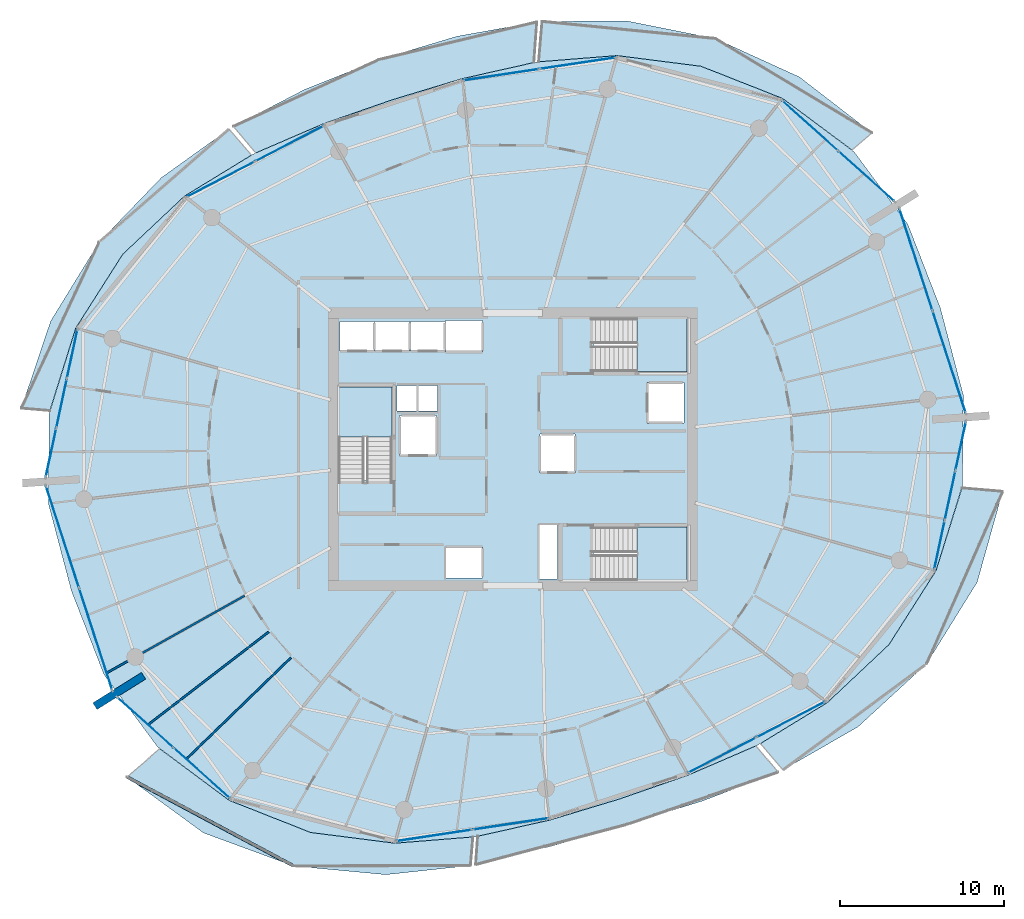
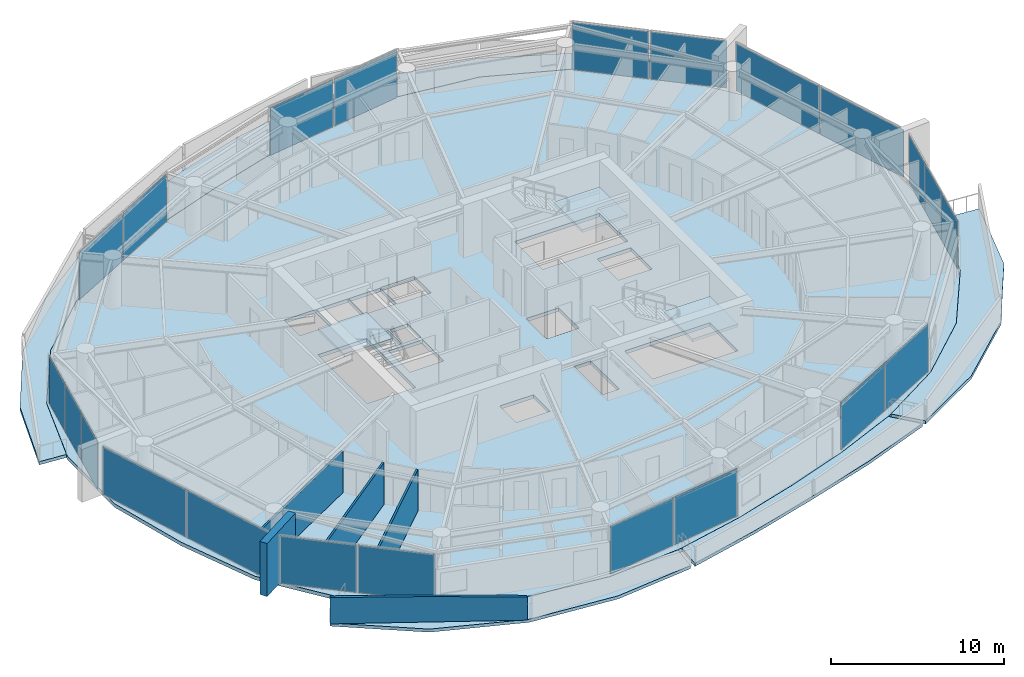
# One storey, part 10 of 21: 22 plates, 10 slabs, 5 walls, 13 elements without a shape of their own.
"""IFC4 building model written with IfcOpenShell, lengths in metres."""

from ifc_helpers import new_model, si_unit, direction, frame, frame_2d, origin, origin_2d, place, context, subcontext, project, spatial, polyline, rectangle, outline, extrude, material, layer, layer_set, type_object, element, aggregate, save


model = new_model("IFC4")

# Units and contexts
model_context = context("Model", 3, precision=1e-05, world=origin(), true_north=direction((0.0, 1.0)))
body_context = subcontext(model_context, "Body", "Model", "MODEL_VIEW")
ifc_project = project(units=[si_unit("LENGTHUNIT", "METRE"), si_unit("AREAUNIT", "SQUARE_METRE"), si_unit("VOLUMEUNIT", "CUBIC_METRE"), si_unit("PLANEANGLEUNIT", "RADIAN"), si_unit("MASSUNIT", "GRAM", prefix="KILO")], contexts=[model_context])

# Site, building, storey
site_placement = place(None, origin())
site = spatial("IfcSite", under=ifc_project, at=site_placement, CompositionType="ELEMENT")
building_placement = place(site_placement, origin())
building = spatial("IfcBuilding", under=site, at=building_placement, Name="Kazma Halo Residences", CompositionType="ELEMENT")
storey_placement = place(building_placement, frame((0.0, 0.0, 184.050048828125)))
storey = spatial("IfcBuildingStorey", under=building, at=storey_placement, Name="L46", CompositionType="ELEMENT", Elevation=184.050048828125)

# Curtain wall, plates
ifc_material_1 = material(Name="Aluminium AW-6063 T6 and Triple-Silver Low-E Glass", Category="aluminium")
ifc_layer_1 = layer(ifc_material_1, 0.219970703125)
ifc_layer_set_1 = layer_set([ifc_layer_1], Name="Aluminium AW-6063 T6 and Triple-Silver Low-E Glass")
curtain_wall_type = type_object("IfcCurtainWallType", Name="CW-SYS-4", PredefinedType="NOTDEFINED", material=ifc_layer_set_1)
curtain_wall_1_placement = place(storey_placement, origin())
curtain_wall_1 = element("IfcCurtainWall", 1, at=curtain_wall_1_placement, inside=storey, type_object=curtain_wall_type, Name="L46 unitised curtain wall B01", PredefinedType="NOTDEFINED")
ifc_material_2 = material(Name="Clear Triple-Silver Low-E Glass IGU", Category="glass")
ifc_layer_2 = layer(ifc_material_2, 0.033935546875)
ifc_layer_set_2 = layer_set([ifc_layer_2], Name="Clear Triple-Silver Low-E Glass IGU")
plate_type = type_object("IfcPlateType", Name="CW-SYS-4-PNL", PredefinedType="CURTAIN_PANEL", material=ifc_layer_set_2)
plate_1_placement = place(storey_placement, frame((70.001220703125, 58.669677734375, 0.074951171875), z_axis=(0.0, 0.0, 1.0), x_axis=(-0.744354814723, 0.667784328806, 0.0)))
plate_1 = element("IfcPlate", 2, at=plate_1_placement, type_object=plate_type, Name="CWS-4 panel 1.1", PredefinedType="CURTAIN_PANEL", context=body_context, shape_type="SweptSolid", body=[
    extrude(rectangle(XDim=4.5478515625, YDim=0.033935546875, at=origin_2d()), origin(), (0.0, 0.0, 1.0), 3.35009765625),
])
plate_2_placement = place(storey_placement, frame((66.56005859375, 61.7568359375, 0.074951171875), z_axis=(0.0, 0.0, 1.0), x_axis=(-0.744354814723, 0.667784328806, 0.0)))
plate_2 = element("IfcPlate", 3, at=plate_2_placement, type_object=plate_type, Name="CWS-4 panel 2.1", PredefinedType="CURTAIN_PANEL", context=body_context, shape_type="SweptSolid", body=[
    extrude(rectangle(XDim=4.5478515625, YDim=0.033935546875, at=origin_2d()), origin(), (0.0, 0.0, 1.0), 3.35009765625),
])
aggregate(curtain_wall_1, [plate_1, plate_2])

curtain_wall_2_placement = place(storey_placement, origin())
curtain_wall_2 = element("IfcCurtainWall", 4, at=curtain_wall_2_placement, inside=storey, type_object=curtain_wall_type, Name="L46 unitised curtain wall B03", PredefinedType="NOTDEFINED")
plate_3_placement = place(storey_placement, frame((52.375, 65.562255859375, 0.074951171875), z_axis=(0.0, 0.0, 1.0), x_axis=(-0.988871428361, -0.148772639188, 0.0)))
plate_3 = element("IfcPlate", 5, at=plate_3_placement, type_object=plate_type, Name="CWS-4 panel 1.1", PredefinedType="CURTAIN_PANEL", context=body_context, shape_type="SweptSolid", body=[
    extrude(rectangle(XDim=4.64501953125, YDim=0.033935546875, at=origin_2d()), origin(), (0.0, 0.0, 1.0), 3.35009765625),
])
plate_4_placement = place(storey_placement, frame((47.70751953125, 64.860107421875, 0.074951171875), z_axis=(0.0, 0.0, 1.0), x_axis=(-0.988871428361, -0.148772639188, 0.0)))
plate_4 = element("IfcPlate", 6, at=plate_4_placement, type_object=plate_type, Name="CWS-4 panel 2.1", PredefinedType="CURTAIN_PANEL", context=body_context, shape_type="SweptSolid", body=[
    extrude(rectangle(XDim=4.64501953125, YDim=0.033935546875, at=origin_2d()), origin(), (0.0, 0.0, 1.0), 3.35009765625),
])
aggregate(curtain_wall_2, [plate_3, plate_4])

curtain_wall_3_placement = place(storey_placement, origin())
curtain_wall_3 = element("IfcCurtainWall", 7, at=curtain_wall_3_placement, inside=storey, type_object=curtain_wall_type, Name="L46 unitised curtain wall B05", PredefinedType="NOTDEFINED")
plate_5_placement = place(storey_placement, frame((34.7998046875, 60.666015625, 0.074951171875), z_axis=(0.0, 0.0, 1.0), x_axis=(-0.887465657575, -0.460873851097, 0.0)))
plate_5 = element("IfcPlate", 8, at=plate_5_placement, type_object=plate_type, Name="CWS-4 panel 1.1", PredefinedType="CURTAIN_PANEL", context=body_context, shape_type="SweptSolid", body=[
    extrude(rectangle(XDim=4.64501953125, YDim=0.033935546875, at=origin_2d()), origin(), (0.0, 0.0, 1.0), 3.35009765625),
])
plate_6_placement = place(storey_placement, frame((30.61083984375, 58.49072265625, 0.074951171875), z_axis=(0.0, 0.0, 1.0), x_axis=(-0.887465657575, -0.460873851097, 0.0)))
plate_6 = element("IfcPlate", 9, at=plate_6_placement, type_object=plate_type, Name="CWS-4 panel 2.1", PredefinedType="CURTAIN_PANEL", context=body_context, shape_type="SweptSolid", body=[
    extrude(rectangle(XDim=4.64501953125, YDim=0.033935546875, at=origin_2d()), origin(), (0.0, 0.0, 1.0), 3.35009765625),
])
aggregate(curtain_wall_3, [plate_5, plate_6])

curtain_wall_4_placement = place(storey_placement, origin())
curtain_wall_4 = element("IfcCurtainWall", 10, at=curtain_wall_4_placement, inside=storey, type_object=curtain_wall_type, Name="L46 unitised curtain wall B07", PredefinedType="NOTDEFINED")
plate_7_placement = place(storey_placement, frame((21.53466796875, 47.833740234375, 0.074951171875), z_axis=(0.0, 0.0, 1.0), x_axis=(-0.209689543175, -0.977768017212, 0.0)))
plate_7 = element("IfcPlate", 11, at=plate_7_placement, type_object=plate_type, Name="CWS-4 panel 1.1", PredefinedType="CURTAIN_PANEL", context=body_context, shape_type="SweptSolid", body=[
    extrude(rectangle(XDim=2.994384765625, YDim=0.033935546875, at=origin_2d()), origin(), (0.0, 0.0, 1.0), 3.35009765625),
])
plate_8_placement = place(storey_placement, frame((20.88720703125, 44.814208984375, 0.074951171875), z_axis=(0.0, 0.0, 1.0), x_axis=(-0.209689543175, -0.977768017212, 0.0)))
plate_8 = element("IfcPlate", 12, at=plate_8_placement, type_object=plate_type, Name="CWS-4 panel 2.1", PredefinedType="CURTAIN_PANEL", context=body_context, shape_type="SweptSolid", body=[
    extrude(rectangle(XDim=3.031982421875, YDim=0.033935546875, at=origin_2d()), origin(), (0.0, 0.0, 1.0), 3.35009765625),
])
plate_9_placement = place(storey_placement, frame((20.239501953125, 41.794677734375, 0.074951171875), z_axis=(0.0, 0.0, 1.0), x_axis=(-0.209689543175, -0.977768017212, 0.0)))
plate_9 = element("IfcPlate", 13, at=plate_9_placement, type_object=plate_type, Name="CWS-4 panel 3.1", PredefinedType="CURTAIN_PANEL", context=body_context, shape_type="SweptSolid", body=[
    extrude(rectangle(XDim=2.994384765625, YDim=0.033935546875, at=origin_2d()), origin(), (0.0, 0.0, 1.0), 3.35009765625),
])
aggregate(curtain_wall_4, [plate_7, plate_8, plate_9])

curtain_wall_5_placement = place(storey_placement, origin())
curtain_wall_5 = element("IfcCurtainWall", 14, at=curtain_wall_5_placement, inside=storey, type_object=curtain_wall_type, Name="L46 unitised curtain wall B08", PredefinedType="NOTDEFINED")
plate_10_placement = place(storey_placement, frame((20.942626953125, 36.658447265625, 0.074951171875), z_axis=(0.0, 0.0, 1.0), x_axis=(0.309015833038, -0.951056893636, 0.0)))
plate_10 = element("IfcPlate", 15, at=plate_10_placement, type_object=plate_type, Name="CWS-4 panel 1.1", PredefinedType="CURTAIN_PANEL", context=body_context, shape_type="SweptSolid", body=[
    extrude(rectangle(XDim=6.487060546875, YDim=0.033935546875, at=origin_2d()), origin(), (0.0, 0.0, 1.0), 3.35009765625),
])
plate_11_placement = place(storey_placement, frame((22.970458984375, 30.41748046875, 0.074951171875), z_axis=(0.0, 0.0, 1.0), x_axis=(0.309015833038, -0.951056893636, 0.0)))
plate_11 = element("IfcPlate", 16, at=plate_11_placement, type_object=plate_type, Name="CWS-4 panel 2.1", PredefinedType="CURTAIN_PANEL", context=body_context, shape_type="SweptSolid", body=[
    extrude(rectangle(XDim=6.487060546875, YDim=0.033935546875, at=origin_2d()), origin(), (0.0, 0.0, 1.0), 3.35009765625),
])
aggregate(curtain_wall_5, [plate_10, plate_11])

curtain_wall_6_placement = place(storey_placement, origin())
curtain_wall_6 = element("IfcCurtainWall", 17, at=curtain_wall_6_placement, inside=storey, type_object=curtain_wall_type, Name="L46 unitised curtain wall B09", PredefinedType="NOTDEFINED")
plate_12_placement = place(storey_placement, frame((25.998779296875, 25.330322265625, 0.074951171875), z_axis=(0.0, 0.0, 1.0), x_axis=(0.744354814723, -0.667784328806, 0.0)))
plate_12 = element("IfcPlate", 18, at=plate_12_placement, type_object=plate_type, Name="CWS-4 panel 1.1", PredefinedType="CURTAIN_PANEL", context=body_context, shape_type="SweptSolid", body=[
    extrude(rectangle(XDim=4.5478515625, YDim=0.033935546875, at=origin_2d()), origin(), (0.0, 0.0, 1.0), 3.35009765625),
])
plate_13_placement = place(storey_placement, frame((29.43994140625, 22.2431640625, 0.074951171875), z_axis=(0.0, 0.0, 1.0), x_axis=(0.744354814723, -0.667784328806, 0.0)))
plate_13 = element("IfcPlate", 19, at=plate_13_placement, type_object=plate_type, Name="CWS-4 panel 2.1", PredefinedType="CURTAIN_PANEL", context=body_context, shape_type="SweptSolid", body=[
    extrude(rectangle(XDim=4.5478515625, YDim=0.033935546875, at=origin_2d()), origin(), (0.0, 0.0, 1.0), 3.35009765625),
])
aggregate(curtain_wall_6, [plate_12, plate_13])

curtain_wall_7_placement = place(storey_placement, origin())
curtain_wall_7 = element("IfcCurtainWall", 20, at=curtain_wall_7_placement, inside=storey, type_object=curtain_wall_type, Name="L46 unitised curtain wall B11", PredefinedType="NOTDEFINED")
plate_14_placement = place(storey_placement, frame((43.625, 18.437744140625, 0.074951171875), z_axis=(0.0, 0.0, 1.0), x_axis=(0.988871428361, 0.148772639188, 0.0)))
plate_14 = element("IfcPlate", 21, at=plate_14_placement, type_object=plate_type, Name="CWS-4 panel 1.1", PredefinedType="CURTAIN_PANEL", context=body_context, shape_type="SweptSolid", body=[
    extrude(rectangle(XDim=4.64501953125, YDim=0.033935546875, at=origin_2d()), origin(), (0.0, 0.0, 1.0), 3.35009765625),
])
plate_15_placement = place(storey_placement, frame((48.29248046875, 19.139892578125, 0.074951171875), z_axis=(0.0, 0.0, 1.0), x_axis=(0.988871428361, 0.148772639188, 0.0)))
plate_15 = element("IfcPlate", 22, at=plate_15_placement, type_object=plate_type, Name="CWS-4 panel 2.1", PredefinedType="CURTAIN_PANEL", context=body_context, shape_type="SweptSolid", body=[
    extrude(rectangle(XDim=4.64501953125, YDim=0.033935546875, at=origin_2d()), origin(), (0.0, 0.0, 1.0), 3.35009765625),
])
aggregate(curtain_wall_7, [plate_14, plate_15])

curtain_wall_8_placement = place(storey_placement, origin())
curtain_wall_8 = element("IfcCurtainWall", 23, at=curtain_wall_8_placement, inside=storey, type_object=curtain_wall_type, Name="L46 unitised curtain wall B13", PredefinedType="NOTDEFINED")
plate_16_placement = place(storey_placement, frame((61.2001953125, 23.333984375, 0.074951171875), z_axis=(0.0, 0.0, 1.0), x_axis=(0.887465657575, 0.460873851097, 0.0)))
plate_16 = element("IfcPlate", 24, at=plate_16_placement, type_object=plate_type, Name="CWS-4 panel 1.1", PredefinedType="CURTAIN_PANEL", context=body_context, shape_type="SweptSolid", body=[
    extrude(rectangle(XDim=4.64501953125, YDim=0.033935546875, at=origin_2d()), origin(), (0.0, 0.0, 1.0), 3.35009765625),
])
plate_17_placement = place(storey_placement, frame((65.38916015625, 25.50927734375, 0.074951171875), z_axis=(0.0, 0.0, 1.0), x_axis=(0.887465657575, 0.460873851097, 0.0)))
plate_17 = element("IfcPlate", 25, at=plate_17_placement, type_object=plate_type, Name="CWS-4 panel 2.1", PredefinedType="CURTAIN_PANEL", context=body_context, shape_type="SweptSolid", body=[
    extrude(rectangle(XDim=4.64501953125, YDim=0.033935546875, at=origin_2d()), origin(), (0.0, 0.0, 1.0), 3.35009765625),
])
aggregate(curtain_wall_8, [plate_16, plate_17])

curtain_wall_9_placement = place(storey_placement, origin())
curtain_wall_9 = element("IfcCurtainWall", 26, at=curtain_wall_9_placement, inside=storey, type_object=curtain_wall_type, Name="L46 unitised curtain wall B15", PredefinedType="NOTDEFINED")
plate_18_placement = place(storey_placement, frame((74.46533203125, 36.166259765625, 0.074951171875), z_axis=(0.0, 0.0, 1.0), x_axis=(0.209689543175, 0.977768017212, 0.0)))
plate_18 = element("IfcPlate", 27, at=plate_18_placement, type_object=plate_type, Name="CWS-4 panel 1.1", PredefinedType="CURTAIN_PANEL", context=body_context, shape_type="SweptSolid", body=[
    extrude(rectangle(XDim=2.994384765625, YDim=0.033935546875, at=origin_2d()), origin(), (0.0, 0.0, 1.0), 3.35009765625),
])
plate_19_placement = place(storey_placement, frame((75.11279296875, 39.185791015625, 0.074951171875), z_axis=(0.0, 0.0, 1.0), x_axis=(0.209689543175, 0.977768017212, 0.0)))
plate_19 = element("IfcPlate", 28, at=plate_19_placement, type_object=plate_type, Name="CWS-4 panel 2.1", PredefinedType="CURTAIN_PANEL", context=body_context, shape_type="SweptSolid", body=[
    extrude(rectangle(XDim=3.031982421875, YDim=0.033935546875, at=origin_2d()), origin(), (0.0, 0.0, 1.0), 3.35009765625),
])
plate_20_placement = place(storey_placement, frame((75.760498046875, 42.205322265625, 0.074951171875), z_axis=(0.0, 0.0, 1.0), x_axis=(0.209689543175, 0.977768017212, 0.0)))
plate_20 = element("IfcPlate", 29, at=plate_20_placement, type_object=plate_type, Name="CWS-4 panel 3.1", PredefinedType="CURTAIN_PANEL", context=body_context, shape_type="SweptSolid", body=[
    extrude(rectangle(XDim=2.994384765625, YDim=0.033935546875, at=origin_2d()), origin(), (0.0, 0.0, 1.0), 3.35009765625),
])
aggregate(curtain_wall_9, [plate_18, plate_19, plate_20])

curtain_wall_10_placement = place(storey_placement, origin())
curtain_wall_10 = element("IfcCurtainWall", 30, at=curtain_wall_10_placement, inside=storey, type_object=curtain_wall_type, Name="L46 unitised curtain wall B16", PredefinedType="NOTDEFINED")
plate_21_placement = place(storey_placement, frame((75.057373046875, 47.341552734375, 0.074951171875), z_axis=(0.0, 0.0, 1.0), x_axis=(-0.309015833038, 0.951056893636, 0.0)))
plate_21 = element("IfcPlate", 31, at=plate_21_placement, type_object=plate_type, Name="CWS-4 panel 1.1", PredefinedType="CURTAIN_PANEL", context=body_context, shape_type="SweptSolid", body=[
    extrude(rectangle(XDim=6.487060546875, YDim=0.033935546875, at=origin_2d()), origin(), (0.0, 0.0, 1.0), 3.35009765625),
])
plate_22_placement = place(storey_placement, frame((73.029541015625, 53.58251953125, 0.074951171875), z_axis=(0.0, 0.0, 1.0), x_axis=(-0.309015833038, 0.951056893636, 0.0)))
plate_22 = element("IfcPlate", 32, at=plate_22_placement, type_object=plate_type, Name="CWS-4 panel 2.1", PredefinedType="CURTAIN_PANEL", context=body_context, shape_type="SweptSolid", body=[
    extrude(rectangle(XDim=6.487060546875, YDim=0.033935546875, at=origin_2d()), origin(), (0.0, 0.0, 1.0), 3.35009765625),
])
aggregate(curtain_wall_10, [plate_21, plate_22])

# Slabs
ifc_material_3 = material(Name="White Concrete C50/60", Category="concrete")
ifc_layer_3 = layer(ifc_material_3, 0.219970703125)
ifc_layer_set_3 = layer_set([ifc_layer_3], Name="White Concrete C50/60")
slab_type_1 = type_object("IfcSlabType", Name="SLB-BAL-WAVE-210", PredefinedType="FLOOR", material=ifc_layer_set_3)
slab_1_placement = place(storey_placement, frame((0.0, 0.0, -0.219970703125)))
element("IfcSlab", 33, at=slab_1_placement, inside=storey, type_object=slab_type_1, Name="L46 NE cantilevered wave balcony slab", PredefinedType="FLOOR", context=body_context, shape_type="SweptSolid", body=[
    extrude(outline(polyline([(69.130126953125, 60.271240234375), (64.88720703125, 63.421142578125), (59.913818359375, 65.382080078125), (54.779052734375, 66.036376953125), (50.007080078125, 65.656005859375), (50.216064453125, 68.1171875), (55.3759765625, 68.1533203125), (60.77587890625, 67.073974609375), (65.918212890625, 64.729248046875), (70.33984375, 61.317138671875), (69.130126953125, 60.271240234375)])), origin(), (0.0, 0.0, 1.0), 0.219970703125),
])
slab_2_placement = place(storey_placement, frame((0.0, 0.0, -0.219970703125)))
element("IfcSlab", 34, at=slab_2_placement, inside=storey, type_object=slab_type_1, Name="L46 NNW cantilevered wave balcony slab", PredefinedType="FLOOR", context=body_context, shape_type="SweptSolid", body=[
    extrude(outline(polyline([(49.713134765625, 65.612060546875), (45.322265625, 64.62451171875), (41.066650390625, 63.338623046875), (36.867919921875, 61.877685546875), (32.735107421875, 60.095458984375), (31.3720703125, 61.71142578125), (35.70166015625, 63.960205078125), (40.27001953125, 65.790771484375), (45.015625, 67.214599609375), (49.892578125, 68.08447265625), (49.713134765625, 65.612060546875)])), origin(), (0.0, 0.0, 1.0), 0.219970703125),
])
slab_3_placement = place(storey_placement, frame((0.0, 0.0, -0.219970703125)))
element("IfcSlab", 35, at=slab_3_placement, inside=storey, type_object=slab_type_1, Name="L46 NW cantilevered wave balcony slab", PredefinedType="FLOOR", context=body_context, shape_type="SweptSolid", body=[
    extrude(outline(polyline([(32.471435546875, 59.958251953125), (28.387451171875, 57.461181640625), (24.617919921875, 53.913818359375), (21.7470703125, 49.404052734375), (20.165771484375, 44.36181640625), (18.427490234375, 44.50927734375), (20.218505859375, 49.835205078125), (23.1767578125, 54.648193359375), (26.966796875, 58.581298828125), (31.09814453125, 61.54638671875), (32.471435546875, 59.958251953125)])), origin(), (0.0, 0.0, 1.0), 0.219970703125),
])
slab_4_placement = place(storey_placement, frame((0.0, 0.0, -0.219970703125)))
element("IfcSlab", 36, at=slab_4_placement, inside=storey, type_object=slab_type_1, Name="L46 SW cantilevered wave balcony slab", PredefinedType="FLOOR", context=body_context, shape_type="SweptSolid", body=[
    extrude(outline(polyline([(26.869873046875, 23.728759765625), (31.11279296875, 20.578857421875), (36.086181640625, 18.617919921875), (41.220947265625, 17.963623046875), (45.992919921875, 18.343994140625), (45.844970703125, 16.60205078125), (40.67919921875, 16.0419921875), (35.04345703125, 16.5712890625), (29.54638671875, 18.591796875), (24.873779296875, 22.002685546875), (26.869873046875, 23.728759765625)])), origin(), (0.0, 0.0, 1.0), 0.219970703125),
])
slab_5_placement = place(storey_placement, frame((0.0, 0.0, -0.219970703125)))
element("IfcSlab", 37, at=slab_5_placement, inside=storey, type_object=slab_type_1, Name="L46 SSE cantilevered wave balcony slab", PredefinedType="FLOOR", context=body_context, shape_type="SweptSolid", body=[
    extrude(outline(polyline([(46.286865234375, 18.387939453125), (50.677734375, 19.37548828125), (54.933349609375, 20.661376953125), (59.132080078125, 22.122314453125), (63.264892578125, 23.904541015625), (64.61572265625, 22.302978515625), (60.01611328125, 20.5439453125), (55.43310546875, 19.123046875), (50.864501953125, 17.798583984375), (46.16162109375, 16.662109375), (46.286865234375, 18.387939453125)])), origin(), (0.0, 0.0, 1.0), 0.219970703125),
])
slab_6_placement = place(storey_placement, frame((0.0, 0.0, -0.219970703125)))
element("IfcSlab", 38, at=slab_6_placement, inside=storey, type_object=slab_type_1, Name="L46 SE cantilevered wave balcony slab", PredefinedType="FLOOR", context=body_context, shape_type="SweptSolid", body=[
    extrude(outline(polyline([(63.528564453125, 24.041748046875), (67.612548828125, 26.538818359375), (71.382080078125, 30.086181640625), (74.2529296875, 34.595947265625), (75.834228515625, 39.63818359375), (78.318603515625, 39.427490234375), (76.76318359375, 33.887939453125), (73.679443359375, 28.915771484375), (69.487060546875, 25.06103515625), (64.914306640625, 22.439208984375), (63.528564453125, 24.041748046875)])), origin(), (0.0, 0.0, 1.0), 0.219970703125),
])
ifc_material_4 = material(Name="Concrete C50/60", Category="concrete")
ifc_layer_4 = layer(ifc_material_4, 0.25)
ifc_layer_set_4 = layer_set([ifc_layer_4], Name="Concrete C50/60")
slab_type_2 = type_object("IfcSlabType", Name="SLB-RES-250", PredefinedType="FLOOR", material=ifc_layer_set_4)
slab_7_placement = place(storey_placement, frame((0.0, 0.0, -0.25)))
element("IfcSlab", 39, at=slab_7_placement, inside=storey, type_object=slab_type_2, Name="L46 structural floor slab", PredefinedType="FLOOR", context=body_context, shape_type="SweptSolid", body=[
    extrude(outline(polyline([(74.521484375, 50.617431640625), (72.531982421875, 55.738525390625), (69.2587890625, 60.156494140625), (64.8857421875, 63.41943359375), (59.912841796875, 65.380126953125), (54.7783203125, 66.034423828125), (49.860595703125, 65.64111328125), (45.322509765625, 64.62255859375), (41.0673828125, 63.336669921875), (36.868896484375, 61.875732421875), (32.598876953125, 60.032470703125), (28.388916015625, 57.460205078125), (24.619873046875, 53.912841796875), (21.7490234375, 49.403564453125), (20.129150390625, 44.193603515625), (20.07763671875, 38.6953125), (21.478515625, 33.382568359375), (23.468017578125, 28.261474609375), (26.7412109375, 23.843505859375), (31.1142578125, 20.58056640625), (36.087158203125, 18.619873046875), (41.2216796875, 17.965576171875), (46.139404296875, 18.35888671875), (50.677490234375, 19.37744140625), (54.9326171875, 20.663330078125), (59.131103515625, 22.124267578125), (63.401123046875, 23.967529296875), (67.611083984375, 26.539794921875), (71.380126953125, 30.087158203125), (74.2509765625, 34.596435546875), (75.870849609375, 39.806396484375), (75.92236328125, 45.3046875), (74.521484375, 50.617431640625)]), holes=[polyline([(37.800048828125, 40.110107421875), (41.050048828125, 40.110107421875), (41.050048828125, 45.800048828125), (37.800048828125, 45.800048828125), (37.800048828125, 40.110107421875)]), polyline([(53.360107421875, 46.75), (59.050048828125, 46.75), (59.050048828125, 50.0), (53.360107421875, 50.0), (53.360107421875, 46.75)]), polyline([(53.360107421875, 34.0), (59.050048828125, 34.0), (59.050048828125, 37.25), (53.360107421875, 37.25), (53.360107421875, 34.0)]), polyline([(41.52001953125, 41.6201171875), (43.780029296875, 41.6201171875), (43.780029296875, 44.080078125), (41.52001953125, 44.080078125), (41.52001953125, 41.6201171875)]), polyline([(56.6201171875, 43.6201171875), (58.8798828125, 43.6201171875), (58.8798828125, 46.080078125), (56.6201171875, 46.080078125), (56.6201171875, 43.6201171875)]), polyline([(37.864990234375, 47.9951171875), (39.97509765625, 47.9951171875), (39.97509765625, 49.804931640625), (37.864990234375, 49.804931640625), (37.864990234375, 47.9951171875)]), polyline([(40.014892578125, 47.9951171875), (42.125, 47.9951171875), (42.125, 49.804931640625), (40.014892578125, 49.804931640625), (40.014892578125, 47.9951171875)]), polyline([(42.1650390625, 47.9951171875), (44.27490234375, 47.9951171875), (44.27490234375, 49.804931640625), (42.1650390625, 49.804931640625), (42.1650390625, 47.9951171875)]), polyline([(44.320068359375, 47.945068359375), (46.580078125, 47.945068359375), (46.580078125, 49.85498046875), (44.320068359375, 49.85498046875), (44.320068359375, 47.945068359375)]), polyline([(44.320068359375, 34.14501953125), (46.580078125, 34.14501953125), (46.580078125, 36.054931640625), (44.320068359375, 36.054931640625), (44.320068359375, 34.14501953125)]), polyline([(50.070068359375, 40.570068359375), (52.22998046875, 40.570068359375), (52.22998046875, 42.929931640625), (50.070068359375, 42.929931640625), (50.070068359375, 40.570068359375)]), polyline([(41.360107421875, 44.340087890625), (42.5400390625, 44.340087890625), (42.5400390625, 45.89990234375), (41.360107421875, 45.89990234375), (41.360107421875, 44.340087890625)]), polyline([(42.659912109375, 44.340087890625), (43.840087890625, 44.340087890625), (43.840087890625, 45.89990234375), (42.659912109375, 45.89990234375), (42.659912109375, 44.340087890625)]), polyline([(50.06005859375, 34.080078125), (51.159912109375, 34.080078125), (51.159912109375, 37.3798828125), (50.06005859375, 37.3798828125), (50.06005859375, 34.080078125)])]), origin(), (0.0, 0.0, 1.0), 0.25),
])

# Stair, slab
stair_type = type_object("IfcStairType", Name="STR-RES1", PredefinedType="HALF_TURN_STAIR", material=ifc_material_4)
stair_1_placement = place(storey_placement, origin())
stair_1 = element("IfcStair", 40, at=stair_1_placement, inside=storey, type_object=stair_type, Name="L46 Core exit stair ST-01", PredefinedType="HALF_TURN_STAIR")
ifc_layer_5 = layer(ifc_material_4, 0.199951171875)
ifc_layer_set_5 = layer_set([ifc_layer_5], Name="Concrete C50/60")
slab_type_3 = type_object("IfcSlabType", Name="SLB-STAIR-LND-200", PredefinedType="LANDING", material=ifc_layer_set_5)
slab_8_placement = place(storey_placement, frame((0.0, 0.0, 1.675048828125)))
slab_8 = element("IfcSlab", 41, at=slab_8_placement, type_object=slab_type_3, Name="ST-01 landing 1", PredefinedType="LANDING", context=body_context, shape_type="SweptSolid", body=[
    extrude(outline(polyline([(41.050048828125, 42.75), (41.050048828125, 45.800048828125), (37.800048828125, 45.800048828125), (37.800048828125, 42.75), (41.050048828125, 42.75)])), origin(), (0.0, 0.0, 1.0), 0.199951171875),
])
aggregate(stair_1, [slab_8])

stair_2_placement = place(storey_placement, origin())
stair_2 = element("IfcStair", 42, at=stair_2_placement, inside=storey, type_object=stair_type, Name="L46 Core exit stair ST-02", PredefinedType="HALF_TURN_STAIR")
slab_9_placement = place(storey_placement, frame((0.0, 0.0, 1.675048828125)))
slab_9 = element("IfcSlab", 43, at=slab_9_placement, type_object=slab_type_3, Name="ST-02 landing 1", PredefinedType="LANDING", context=body_context, shape_type="SweptSolid", body=[
    extrude(outline(polyline([(56.0, 46.75), (59.050048828125, 46.75), (59.050048828125, 50.0), (56.0, 50.0), (56.0, 46.75)])), origin(), (0.0, 0.0, 1.0), 0.199951171875),
])
aggregate(stair_2, [slab_9])

stair_3_placement = place(storey_placement, origin())
stair_3 = element("IfcStair", 44, at=stair_3_placement, inside=storey, type_object=stair_type, Name="L46 Core exit stair ST-03", PredefinedType="HALF_TURN_STAIR")
slab_10_placement = place(storey_placement, frame((0.0, 0.0, 1.675048828125)))
slab_10 = element("IfcSlab", 45, at=slab_10_placement, type_object=slab_type_3, Name="ST-03 landing 1", PredefinedType="LANDING", context=body_context, shape_type="SweptSolid", body=[
    extrude(outline(polyline([(56.0, 34.0), (59.050048828125, 34.0), (59.050048828125, 37.25), (56.0, 37.25), (56.0, 34.0)])), origin(), (0.0, 0.0, 1.0), 0.199951171875),
])
aggregate(stair_3, [slab_10])

# Walls
ifc_material_5 = material(Name="White Concrete C50/60 Balustrade", Category="concrete")
ifc_layer_6 = layer(ifc_material_5, 0.179931640625)
ifc_layer_set_6 = layer_set([ifc_layer_6], Name="White Concrete C50/60 Balustrade")
wall_type_1 = type_object("IfcWallType", Name="WL-BAL-WAVE-180", PredefinedType="PARAPET", material=ifc_layer_set_6)
wall_1_placement = place(storey_placement, frame((24.873779296875, 22.002685546875, 0.0), z_axis=(0.0, 0.0, 1.0), x_axis=(0.882077945567, -0.471103489632, 0.0)))
element("IfcWall", 46, at=wall_1_placement, inside=storey, type_object=wall_type_1, Name="L46 white wave balustrade wall SW.1", PredefinedType="PARAPET", context=body_context, shape_type="SweptSolid", body=[
    extrude(outline(polyline([(0.0, 0.0), (11.409423828125, 0.0), (11.409423828125, 1.6318359375), (5.70458984375, 1.7978515625), (0.0, 1.85986328125), (0.0, 0.0)])), frame((0.0, 0.08984375, 0.0), z_axis=(0.0, -1.0, 0.0), x_axis=(1.0, 0.0, 0.0)), (0.0, 0.0, 1.0), 0.179931640625),
])
ifc_material_6 = material(Name="Pale Concrete C60/75", Category="concrete")
ifc_layer_7 = layer(ifc_material_6, 0.47998046875)
ifc_layer_set_7 = layer_set([ifc_layer_7], Name="Pale Concrete C60/75")
wall_type_2 = type_object("IfcWallType", Name="WL-BLADE-480", PredefinedType="SOLIDWALL", material=ifc_layer_set_7)
wall_2_placement = place(storey_placement, frame((25.88623046875, 28.181884765625, 0.0), z_axis=(0.0, 0.0, 1.0), x_axis=(-0.848033572426, -0.529942506352, 0.0)))
element("IfcWall", 47, at=wall_2_placement, inside=storey, type_object=wall_type_2, Name="L46 pale concrete structural blade fin wall BW-03", PredefinedType="SOLIDWALL", context=body_context, shape_type="SweptSolid", body=[
    extrude(rectangle(XDim=3.5, YDim=0.47998046875, at=frame_2d((1.75, 0.0))), origin(), (0.0, 0.0, 1.0), 3.75),
])
ifc_material_7 = material(Name="Gypsum Plasterboard Partition")
ifc_layer_8 = layer(ifc_material_7, 0.125)
ifc_layer_set_8 = layer_set([ifc_layer_8], Name="Gypsum Plasterboard Partition")
wall_type_3 = type_object("IfcWallType", Name="WL-PART-125", PredefinedType="PARTITIONING", material=ifc_layer_set_8)
wall_3_placement = place(storey_placement, frame((32.052490234375, 33.06884765625, 0.0), z_axis=(0.0, 0.0, 1.0), x_axis=(-0.87250211985, -0.488610326188, 0.0)))
element("IfcWall", 48, at=wall_3_placement, inside=storey, type_object=wall_type_3, Name="L46 Apartment 2 radial partition 8", PredefinedType="PARTITIONING", context=body_context, shape_type="SweptSolid", body=[
    extrude(rectangle(XDim=9.616943359375, YDim=0.125, at=frame_2d((4.80859375, 0.0))), origin(), (0.0, 0.0, 1.0), 2.93994140625),
])
wall_4_placement = place(storey_placement, frame((33.521484375, 30.860107421875, 0.0), z_axis=(0.0, 0.0, 1.0), x_axis=(-0.792554479605, -0.609801112543, 0.0)))
element("IfcWall", 49, at=wall_4_placement, inside=storey, type_object=wall_type_3, Name="L46 Apartment 2 bay wall 1 8", PredefinedType="PARTITIONING", context=body_context, shape_type="SweptSolid", body=[
    extrude(rectangle(XDim=9.271240234375, YDim=0.125, at=frame_2d((4.6357421875, 0.0))), origin(), (0.0, 0.0, 1.0), 2.93994140625),
])
wall_5_placement = place(storey_placement, frame((34.88134765625, 29.287109375, 0.0), z_axis=(0.0, 0.0, 1.0), x_axis=(-0.718121191842, -0.695918065455, 0.0)))
element("IfcWall", 50, at=wall_5_placement, inside=storey, type_object=wall_type_3, Name="L46 Apartment 2 bay wall 2 8", PredefinedType="PARTITIONING", context=body_context, shape_type="SweptSolid", body=[
    extrude(rectangle(XDim=8.87353515625, YDim=0.125, at=frame_2d((4.436767578125, 0.0))), origin(), (0.0, 0.0, 1.0), 2.93994140625),
])

save(model, "model.ifc")
